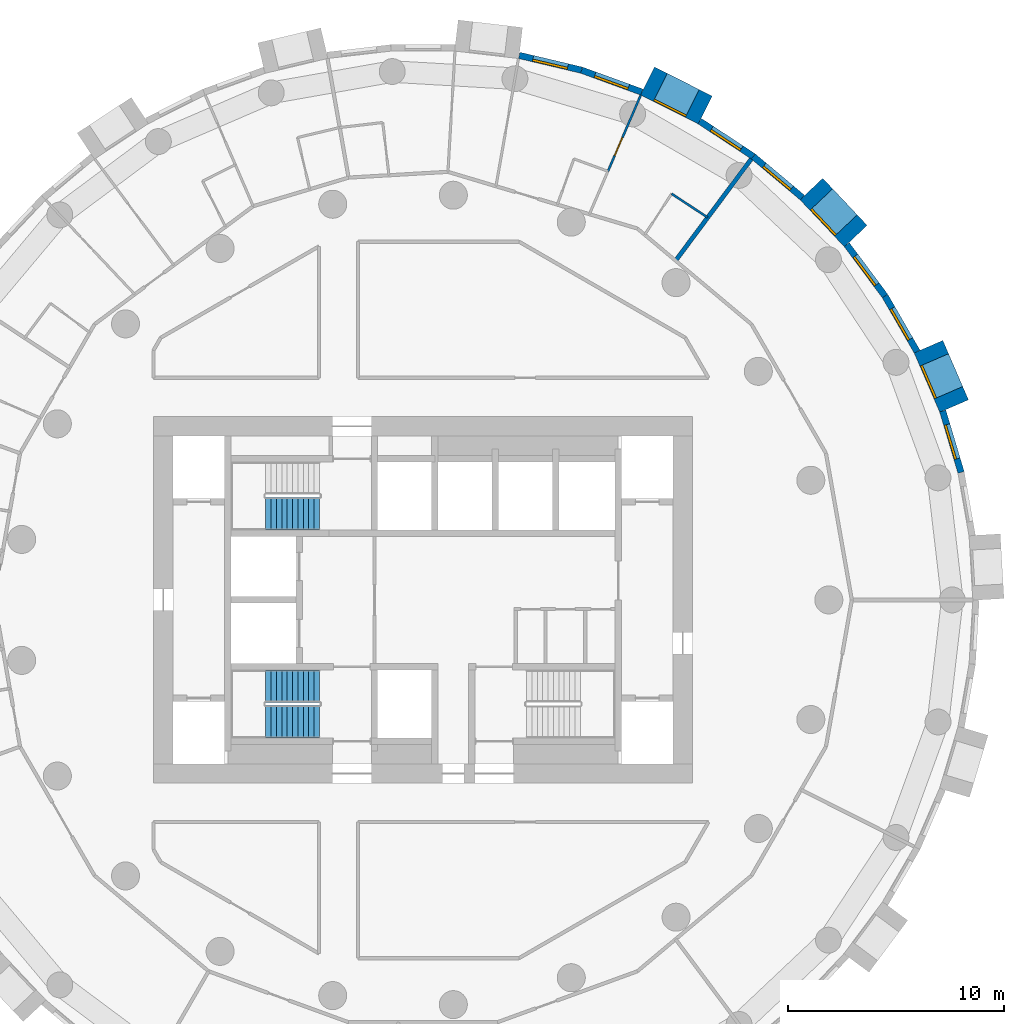
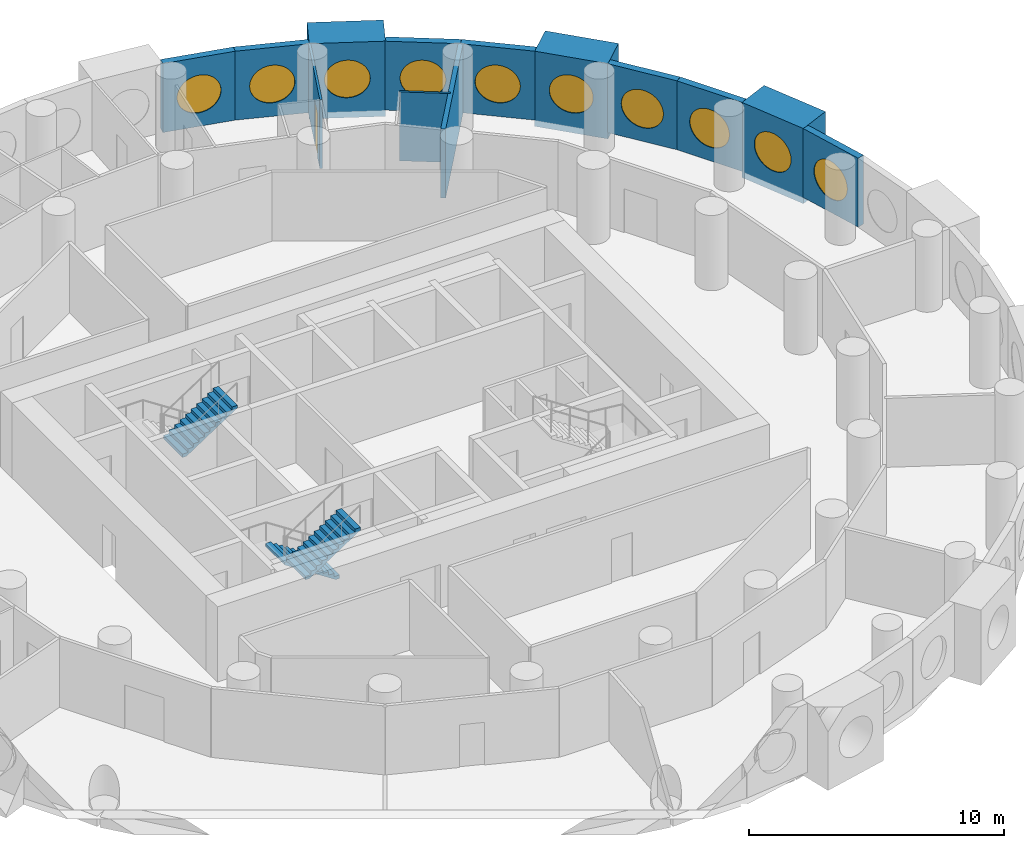
# One storey, part 8 of 10: 13 walls, 10 windows, 3 stair flights, 1 door, 11 openings, 2 elements without a shape of their own.
"""IFC4 building model written with IfcOpenShell, lengths in metres."""

from ifc_helpers import new_model, si_unit, direction, frame, frame_2d, origin, origin_2d, place, context, subcontext, project, spatial, polyline, rectangle, circle, outline, extrude, material, layer, layer_set, type_object, element, fill, aggregate, save


model = new_model("IFC4")

# Units and contexts
model_context = context("Model", 3, precision=1e-05, world=origin(), true_north=direction((0.0, 1.0)))
body_context = subcontext(model_context, "Body", "Model", "MODEL_VIEW")
ifc_project = project(units=[si_unit("LENGTHUNIT", "METRE"), si_unit("AREAUNIT", "SQUARE_METRE"), si_unit("VOLUMEUNIT", "CUBIC_METRE"), si_unit("PLANEANGLEUNIT", "RADIAN"), si_unit("MASSUNIT", "GRAM", prefix="KILO")], contexts=[model_context])

# Site, building, storey
site_placement = place(None, origin())
site = spatial("IfcSite", under=ifc_project, at=site_placement, CompositionType="ELEMENT")
building_placement = place(site_placement, origin())
building = spatial("IfcBuilding", under=site, at=building_placement, Name="Tracery Tower", CompositionType="ELEMENT")
storey_placement = place(building_placement, frame((0.0, 0.0, 144.0)))
storey = spatial("IfcBuildingStorey", under=building, at=storey_placement, Name="L36", CompositionType="ELEMENT", Elevation=144.0)

# Wall, opening, window
ifc_material_1 = material(Name="Precast concrete C50/60", Category="concrete")
ifc_layer_1 = layer(ifc_material_1, 1.449951171875)
ifc_layer_set_1 = layer_set([ifc_layer_1], Name="Deep-set bay unit 3000 x 3600, slab edge 300")
wall_type_1 = type_object("IfcWallType", Name="Deep-set bay unit 3000 x 3600, slab edge 300", PredefinedType="ELEMENTEDWALL", material=ifc_layer_set_1)
wall_1_placement = place(storey_placement, frame((24.632080078125, 8.99169921875, -0.300048828125), z_axis=(0.0, 0.0, 1.0), x_axis=(-0.396079003245, 0.918216435917, 0.0)))
wall_1 = element("IfcWall", 1, at=wall_1_placement, inside=storey, type_object=wall_type_1, Name="Deep-set bay unit 4 at L36", PredefinedType="ELEMENTEDWALL", context=body_context, shape_type="SweptSolid", body=[
    extrude(rectangle(XDim=3.0, YDim=1.449951171875, at=frame_2d((1.5, 0.0))), origin(), (0.0, 0.0, 1.0), 3.60009765625),
])
opening_1_placement = place(wall_1_placement, frame((1.5, 0.0, 1.85009765625)))
opening_1 = element("IfcOpeningElement", 2, at=opening_1_placement, cuts=wall_1, Name="Opening WN1", PredefinedType="OPENING", context=body_context, shape_type="SweptSolid", body=[
    extrude(circle(Radius=0.9000244140625, at=origin_2d()), frame((0.0, 0.73486328125, 0.0), z_axis=(0.0, -1.0, 0.0), x_axis=(1.0, 0.0, 0.0)), (0.0, 0.0, 1.0), 1.469970703125),
])
ifc_material_2 = material(Name="Aluminium frame with tinted double glazing", Category="aluminium")
window_type = type_object("IfcWindowType", Name="Round window 1800", PartitioningType="SINGLE_PANEL", PredefinedType="WINDOW", material=ifc_material_2)
window_1_placement = place(opening_1_placement, origin())
window_1 = element("IfcWindow", 3, at=window_1_placement, inside=storey, type_object=window_type, Name="Round window 4 at L36", OverallHeight=1.800048828125, OverallWidth=1.800048828125, PartitioningType="SINGLE_PANEL", PredefinedType="WINDOW", context=body_context, shape_type="SweptSolid", body=[
    extrude(circle(Radius=0.9000244140625, at=origin_2d()), frame((0.0, 0.69482421875, 0.0), z_axis=(0.0, -1.0, 0.0), x_axis=(1.0, 0.0, 0.0)), (0.0, 0.0, 1.0), 0.10009765625),
])
fill(opening_1, window_1)

wall_2_placement = place(storey_placement, frame((20.0712890625, 16.8740234375, -0.300048828125), z_axis=(0.0, 0.0, 1.0), x_axis=(-0.686217177108, 0.727396718334, 0.0)))
wall_2 = element("IfcWall", 4, at=wall_2_placement, inside=storey, type_object=wall_type_1, Name="Deep-set bay unit 7 at L36", PredefinedType="ELEMENTEDWALL", context=body_context, shape_type="SweptSolid", body=[
    extrude(rectangle(XDim=3.0, YDim=1.449951171875, at=frame_2d((1.5, 0.0))), origin(), (0.0, 0.0, 1.0), 3.60009765625),
])
opening_2_placement = place(wall_2_placement, frame((1.5, 0.0, 1.85009765625)))
opening_2 = element("IfcOpeningElement", 5, at=opening_2_placement, cuts=wall_2, Name="Opening WN1", PredefinedType="OPENING", context=body_context, shape_type="SweptSolid", body=[
    extrude(circle(Radius=0.9000244140625, at=origin_2d()), frame((0.0, 0.73486328125, 0.0), z_axis=(0.0, -1.0, 0.0), x_axis=(1.0, 0.0, 0.0)), (0.0, 0.0, 1.0), 1.469970703125),
])
window_2_placement = place(opening_2_placement, origin())
window_2 = element("IfcWindow", 6, at=window_2_placement, inside=storey, type_object=window_type, Name="Round window 7 at L36", OverallHeight=1.800048828125, OverallWidth=1.800048828125, PartitioningType="SINGLE_PANEL", PredefinedType="WINDOW", context=body_context, shape_type="SweptSolid", body=[
    extrude(circle(Radius=0.9000244140625, at=origin_2d()), frame((0.0, 0.69482421875, 0.0), z_axis=(0.0, -1.0, 0.0), x_axis=(1.0, 0.0, 0.0)), (0.0, 0.0, 1.0), 0.10009765625),
])
fill(opening_2, window_2)

wall_3_placement = place(storey_placement, frame((13.089599609375, 22.72119140625, -0.300048828125), z_axis=(0.0, 0.0, 1.0), x_axis=(-0.893628249713, 0.448807922518, 0.0)))
wall_3 = element("IfcWall", 7, at=wall_3_placement, inside=storey, type_object=wall_type_1, Name="Deep-set bay unit 10 at L36", PredefinedType="ELEMENTEDWALL", context=body_context, shape_type="SweptSolid", body=[
    extrude(rectangle(XDim=3.0, YDim=1.449951171875, at=frame_2d((1.5, 0.0))), origin(), (0.0, 0.0, 1.0), 3.60009765625),
])
opening_3_placement = place(wall_3_placement, frame((1.5, 0.0, 1.85009765625)))
opening_3 = element("IfcOpeningElement", 8, at=opening_3_placement, cuts=wall_3, Name="Opening WN1", PredefinedType="OPENING", context=body_context, shape_type="SweptSolid", body=[
    extrude(circle(Radius=0.9000244140625, at=origin_2d()), frame((0.0, 0.73486328125, 0.0), z_axis=(0.0, -1.0, 0.0), x_axis=(1.0, 0.0, 0.0)), (0.0, 0.0, 1.0), 1.469970703125),
])
window_3_placement = place(opening_3_placement, origin())
window_3 = element("IfcWindow", 9, at=window_3_placement, inside=storey, type_object=window_type, Name="Round window 10 at L36", OverallHeight=1.800048828125, OverallWidth=1.800048828125, PartitioningType="SINGLE_PANEL", PredefinedType="WINDOW", context=body_context, shape_type="SweptSolid", body=[
    extrude(circle(Radius=0.9000244140625, at=origin_2d()), frame((0.0, 0.69482421875, 0.0), z_axis=(0.0, -1.0, 0.0), x_axis=(1.0, 0.0, 0.0)), (0.0, 0.0, 1.0), 0.10009765625),
])
fill(opening_3, window_3)

ifc_material_3 = material(Name="Precast concrete C50/60", Category="concrete")
ifc_layer_2 = layer(ifc_material_3, 0.300048828125)
ifc_layer_set_2 = layer_set([ifc_layer_2], Name="Facade panel 3000 x 3300")
wall_type_2 = type_object("IfcWallType", Name="Facade panel 3000 x 3300", PredefinedType="SOLIDWALL", material=ifc_layer_set_2)
wall_4_placement = place(storey_placement, frame((24.9560546875, 5.914794921875, 0.0), z_axis=(0.0, 0.0, 1.0), x_axis=(-0.286782750849, 0.957995643944, 0.0)))
wall_4 = element("IfcWall", 10, at=wall_4_placement, inside=storey, type_object=wall_type_2, Name="Facade panel 3 at L36", PredefinedType="SOLIDWALL", context=body_context, shape_type="SweptSolid", body=[
    extrude(rectangle(XDim=2.97265625, YDim=0.300048828125, at=frame_2d((1.486328125, 0.0))), origin(), (0.0, 0.0, 1.0), 3.300048828125),
])
opening_4_placement = place(wall_4_placement, frame((1.486328125, 0.0, 1.5498046875)))
opening_4 = element("IfcOpeningElement", 11, at=opening_4_placement, cuts=wall_4, Name="Opening WN1", PredefinedType="OPENING", context=body_context, shape_type="SweptSolid", body=[
    extrude(circle(Radius=0.9000244140625, at=origin_2d()), frame((0.0, 0.159912109375, 0.0), z_axis=(0.0, -1.0, 0.0), x_axis=(1.0, 0.0, 0.0)), (0.0, 0.0, 1.0), 0.320068359375),
])
window_4_placement = place(opening_4_placement, origin())
window_4 = element("IfcWindow", 12, at=window_4_placement, inside=storey, type_object=window_type, Name="Round window 3 at L36", OverallHeight=1.800048828125, OverallWidth=1.800048828125, PartitioningType="SINGLE_PANEL", PredefinedType="WINDOW", context=body_context, shape_type="SweptSolid", body=[
    extrude(circle(Radius=0.9000244140625, at=origin_2d()), frame((0.0, 0.1201171875, 0.0), z_axis=(0.0, -1.0, 0.0), x_axis=(1.0, 0.0, 0.0)), (0.0, 0.0, 1.0), 0.10009765625),
])
fill(opening_4, window_4)

wall_5_placement = place(storey_placement, frame((22.91455078125, 11.518798828125, 0.0), z_axis=(0.0, 0.0, 1.0), x_axis=(-0.499954672104, 0.866051572276, 0.0)))
wall_5 = element("IfcWall", 13, at=wall_5_placement, inside=storey, type_object=wall_type_2, Name="Facade panel 5 at L36", PredefinedType="SOLIDWALL", context=body_context, shape_type="SweptSolid", body=[
    extrude(rectangle(XDim=2.972900390625, YDim=0.300048828125, at=frame_2d((1.486328125, 0.0))), origin(), (0.0, 0.0, 1.0), 3.300048828125),
])
opening_5_placement = place(wall_5_placement, frame((1.486328125, 0.0, 1.5498046875)))
opening_5 = element("IfcOpeningElement", 14, at=opening_5_placement, cuts=wall_5, Name="Opening WN1", PredefinedType="OPENING", context=body_context, shape_type="SweptSolid", body=[
    extrude(circle(Radius=0.9000244140625, at=origin_2d()), frame((0.0, 0.159912109375, 0.0), z_axis=(0.0, -1.0, 0.0), x_axis=(1.0, 0.0, 0.0)), (0.0, 0.0, 1.0), 0.320068359375),
])
window_5_placement = place(opening_5_placement, origin())
window_5 = element("IfcWindow", 15, at=window_5_placement, inside=storey, type_object=window_type, Name="Round window 5 at L36", OverallHeight=1.800048828125, OverallWidth=1.800048828125, PartitioningType="SINGLE_PANEL", PredefinedType="WINDOW", context=body_context, shape_type="SweptSolid", body=[
    extrude(circle(Radius=0.9000244140625, at=origin_2d()), frame((0.0, 0.1201171875, 0.0), z_axis=(0.0, -1.0, 0.0), x_axis=(1.0, 0.0, 0.0)), (0.0, 0.0, 1.0), 0.10009765625),
])
fill(opening_5, window_5)

wall_6_placement = place(storey_placement, frame((21.42822265625, 14.093505859375, 0.0), z_axis=(0.0, 0.0, 1.0), x_axis=(-0.597197580538, 0.80209416517, 0.0)))
wall_6 = element("IfcWall", 16, at=wall_6_placement, inside=storey, type_object=wall_type_2, Name="Facade panel 6 at L36", PredefinedType="SOLIDWALL", context=body_context, shape_type="SweptSolid", body=[
    extrude(rectangle(XDim=2.972900390625, YDim=0.300048828125, at=frame_2d((1.486328125, 0.0))), origin(), (0.0, 0.0, 1.0), 3.300048828125),
])
opening_6_placement = place(wall_6_placement, frame((1.486328125, 0.0, 1.5498046875)))
opening_6 = element("IfcOpeningElement", 17, at=opening_6_placement, cuts=wall_6, Name="Opening WN1", PredefinedType="OPENING", context=body_context, shape_type="SweptSolid", body=[
    extrude(circle(Radius=0.9000244140625, at=origin_2d()), frame((0.0, 0.159912109375, 0.0), z_axis=(0.0, -1.0, 0.0), x_axis=(1.0, 0.0, 0.0)), (0.0, 0.0, 1.0), 0.320068359375),
])
window_6_placement = place(opening_6_placement, origin())
window_6 = element("IfcWindow", 18, at=window_6_placement, inside=storey, type_object=window_type, Name="Round window 6 at L36", OverallHeight=1.800048828125, OverallWidth=1.800048828125, PartitioningType="SINGLE_PANEL", PredefinedType="WINDOW", context=body_context, shape_type="SweptSolid", body=[
    extrude(circle(Radius=0.9000244140625, at=origin_2d()), frame((0.0, 0.1201171875, 0.0), z_axis=(0.0, -1.0, 0.0), x_axis=(1.0, 0.0, 0.0)), (0.0, 0.0, 1.0), 0.10009765625),
])
fill(opening_6, window_6)

wall_7_placement = place(storey_placement, frame((17.593017578125, 18.661376953125, 0.0), z_axis=(0.0, 0.0, 1.0), x_axis=(-0.766008913364, 0.642829950023, 0.0)))
wall_7 = element("IfcWall", 19, at=wall_7_placement, inside=storey, type_object=wall_type_2, Name="Facade panel 8 at L36", PredefinedType="SOLIDWALL", context=body_context, shape_type="SweptSolid", body=[
    extrude(rectangle(XDim=2.972900390625, YDim=0.300048828125, at=frame_2d((1.486328125, 0.0))), origin(), (0.0, 0.0, 1.0), 3.300048828125),
])
opening_7_placement = place(wall_7_placement, frame((1.486328125, 0.0, 1.5498046875)))
opening_7 = element("IfcOpeningElement", 20, at=opening_7_placement, cuts=wall_7, Name="Opening WN1", PredefinedType="OPENING", context=body_context, shape_type="SweptSolid", body=[
    extrude(circle(Radius=0.9000244140625, at=origin_2d()), frame((0.0, 0.159912109375, 0.0), z_axis=(0.0, -1.0, 0.0), x_axis=(1.0, 0.0, 0.0)), (0.0, 0.0, 1.0), 0.320068359375),
])
window_7_placement = place(opening_7_placement, origin())
window_7 = element("IfcWindow", 21, at=window_7_placement, inside=storey, type_object=window_type, Name="Round window 8 at L36", OverallHeight=1.800048828125, OverallWidth=1.800048828125, PartitioningType="SINGLE_PANEL", PredefinedType="WINDOW", context=body_context, shape_type="SweptSolid", body=[
    extrude(circle(Radius=0.9000244140625, at=origin_2d()), frame((0.0, 0.1201171875, 0.0), z_axis=(0.0, -1.0, 0.0), x_axis=(1.0, 0.0, 0.0)), (0.0, 0.0, 1.0), 0.10009765625),
])
fill(opening_7, window_7)

wall_8_placement = place(storey_placement, frame((15.315673828125, 20.572509765625, 0.0), z_axis=(0.0, 0.0, 1.0), x_axis=(-0.835508361394, 0.54947773207, 0.0)))
wall_8 = element("IfcWall", 22, at=wall_8_placement, inside=storey, type_object=wall_type_2, Name="Facade panel 9 at L36", PredefinedType="SOLIDWALL", context=body_context, shape_type="SweptSolid", body=[
    extrude(rectangle(XDim=2.972900390625, YDim=0.300048828125, at=frame_2d((1.486328125, 0.0))), origin(), (0.0, 0.0, 1.0), 3.300048828125),
])
opening_8_placement = place(wall_8_placement, frame((1.486328125, 0.0, 1.5498046875)))
opening_8 = element("IfcOpeningElement", 23, at=opening_8_placement, cuts=wall_8, Name="Opening WN1", PredefinedType="OPENING", context=body_context, shape_type="SweptSolid", body=[
    extrude(circle(Radius=0.9000244140625, at=origin_2d()), frame((0.0, 0.159912109375, 0.0), z_axis=(0.0, -1.0, 0.0), x_axis=(1.0, 0.0, 0.0)), (0.0, 0.0, 1.0), 0.320068359375),
])
window_8_placement = place(opening_8_placement, origin())
window_8 = element("IfcWindow", 24, at=window_8_placement, inside=storey, type_object=window_type, Name="Round window 9 at L36", OverallHeight=1.800048828125, OverallWidth=1.800048828125, PartitioningType="SINGLE_PANEL", PredefinedType="WINDOW", context=body_context, shape_type="SweptSolid", body=[
    extrude(circle(Radius=0.9000244140625, at=origin_2d()), frame((0.0, 0.1201171875, 0.0), z_axis=(0.0, -1.0, 0.0), x_axis=(1.0, 0.0, 0.0)), (0.0, 0.0, 1.0), 0.10009765625),
])
fill(opening_8, window_8)

wall_9_placement = place(storey_placement, frame((10.1494140625, 23.55322265625, 0.0), z_axis=(0.0, 0.0, 1.0), x_axis=(-0.939690282133, 0.342026568652, 0.0)))
wall_9 = element("IfcWall", 25, at=wall_9_placement, inside=storey, type_object=wall_type_2, Name="Facade panel 11 at L36", PredefinedType="SOLIDWALL", context=body_context, shape_type="SweptSolid", body=[
    extrude(rectangle(XDim=2.972900390625, YDim=0.300048828125, at=frame_2d((1.486328125, 0.0))), origin(), (0.0, 0.0, 1.0), 3.300048828125),
])
opening_9_placement = place(wall_9_placement, frame((1.486328125, 0.0, 1.5498046875)))
opening_9 = element("IfcOpeningElement", 26, at=opening_9_placement, cuts=wall_9, Name="Opening WN1", PredefinedType="OPENING", context=body_context, shape_type="SweptSolid", body=[
    extrude(circle(Radius=0.9000244140625, at=origin_2d()), frame((0.0, 0.159912109375, 0.0), z_axis=(0.0, -1.0, 0.0), x_axis=(1.0, 0.0, 0.0)), (0.0, 0.0, 1.0), 0.320068359375),
])
window_9_placement = place(opening_9_placement, origin())
window_9 = element("IfcWindow", 27, at=window_9_placement, inside=storey, type_object=window_type, Name="Round window 11 at L36", OverallHeight=1.800048828125, OverallWidth=1.800048828125, PartitioningType="SINGLE_PANEL", PredefinedType="WINDOW", context=body_context, shape_type="SweptSolid", body=[
    extrude(circle(Radius=0.9000244140625, at=origin_2d()), frame((0.0, 0.1201171875, 0.0), z_axis=(0.0, -1.0, 0.0), x_axis=(1.0, 0.0, 0.0)), (0.0, 0.0, 1.0), 0.10009765625),
])
fill(opening_9, window_9)

wall_10_placement = place(storey_placement, frame((7.355712890625, 24.570068359375, 0.0), z_axis=(0.0, 0.0, 1.0), x_axis=(-0.973045378923, 0.230613725862, 0.0)))
wall_10 = element("IfcWall", 28, at=wall_10_placement, inside=storey, type_object=wall_type_2, Name="Facade panel 12 at L36", PredefinedType="SOLIDWALL", context=body_context, shape_type="SweptSolid", body=[
    extrude(rectangle(XDim=2.97265625, YDim=0.300048828125, at=frame_2d((1.486328125, 0.0))), origin(), (0.0, 0.0, 1.0), 3.300048828125),
])
opening_10_placement = place(wall_10_placement, frame((1.486328125, 0.0, 1.5498046875)))
opening_10 = element("IfcOpeningElement", 29, at=opening_10_placement, cuts=wall_10, Name="Opening WN1", PredefinedType="OPENING", context=body_context, shape_type="SweptSolid", body=[
    extrude(circle(Radius=0.9000244140625, at=origin_2d()), frame((0.0, 0.159912109375, 0.0), z_axis=(0.0, -1.0, 0.0), x_axis=(1.0, 0.0, 0.0)), (0.0, 0.0, 1.0), 0.320068359375),
])
window_10_placement = place(opening_10_placement, origin())
window_10 = element("IfcWindow", 30, at=window_10_placement, inside=storey, type_object=window_type, Name="Round window 12 at L36", OverallHeight=1.800048828125, OverallWidth=1.800048828125, PartitioningType="SINGLE_PANEL", PredefinedType="WINDOW", context=body_context, shape_type="SweptSolid", body=[
    extrude(circle(Radius=0.9000244140625, at=origin_2d()), frame((0.0, 0.1201171875, 0.0), z_axis=(0.0, -1.0, 0.0), x_axis=(1.0, 0.0, 0.0)), (0.0, 0.0, 1.0), 0.10009765625),
])
fill(opening_10, window_10)

# Wall, opening, door
ifc_material_4 = material(Name="Plasterboard on steel studs", Category="steel")
ifc_layer_3 = layer(ifc_material_4, 0.10009765625)
ifc_layer_set_3 = layer_set([ifc_layer_3], Name="Partition 100 stud")
wall_type_3 = type_object("IfcWallType", Name="Partition 100 stud", PredefinedType="PARTITIONING", material=ifc_layer_set_3)
wall_11_placement = place(storey_placement, frame((8.575927734375, 19.881103515625, 0.0), z_axis=(0.0, 0.0, 1.0), x_axis=(0.396094260049, 0.918209854639, 0.0)))
wall_11 = element("IfcWall", 31, at=wall_11_placement, inside=storey, type_object=wall_type_3, Name="Stud partition RB2-045", PredefinedType="PARTITIONING", context=body_context, shape_type="SweptSolid", body=[
    extrude(rectangle(XDim=3.845458984375, YDim=0.10009765625, at=frame_2d((1.9228515625, 0.0))), origin(), (0.0, 0.0, 1.0), 3.300048828125),
])
opening_11_placement = place(wall_11_placement, frame((0.79541015625, 0.0, 0.0)))
opening_11 = element("IfcOpeningElement", 32, at=opening_11_placement, cuts=wall_11, Name="Opening RB2-09", PredefinedType="OPENING", context=body_context, shape_type="SweptSolid", body=[
    extrude(rectangle(XDim=0.89990234375, YDim=2.10009765625, at=frame_2d((0.449951171875, 1.050048828125))), frame((0.0, 0.050048828125, 0.0), z_axis=(0.0, -1.0, 0.0), x_axis=(1.0, 0.0, 0.0)), (0.0, 0.0, 1.0), 0.10009765625),
])
ifc_material_5 = material(Name="Timber door leaf", Category="wood")
door_type = type_object("IfcDoorType", Name="Door bedroom 900", OperationType="NOTDEFINED", PredefinedType="DOOR", material=ifc_material_5)
door_placement = place(opening_11_placement, origin())
door = element("IfcDoor", 33, at=door_placement, inside=storey, type_object=door_type, Name="Bedroom door RB2-09", OperationType="SINGLE_SWING_RIGHT", OverallHeight=2.10009765625, OverallWidth=0.89990234375, PredefinedType="DOOR", context=body_context, shape_type="SweptSolid", body=[
    extrude(rectangle(XDim=0.89990234375, YDim=2.10009765625, at=frame_2d((0.449951171875, 1.050048828125))), frame((0.0, 0.02490234375, 0.0), z_axis=(0.0, -1.0, 0.0), x_axis=(1.0, 0.0, 0.0)), (0.0, 0.0, 1.0), 0.050048828125),
])
fill(opening_11, door)

# Walls
ifc_material_6 = material(Name="Plasterboard on steel studs", Category="steel")
ifc_layer_4 = layer(ifc_material_6, 0.10009765625)
ifc_layer_set_4 = layer_set([ifc_layer_4], Name="Partition 100 wet wall")
wall_type_4 = type_object("IfcWallType", Name="Partition 100 wet wall", PredefinedType="PARTITIONING", material=ifc_layer_set_4)
wall_12_placement = place(storey_placement, frame((11.531005859375, 18.8369140625, 0.0), z_axis=(0.0, 0.0, 1.0), x_axis=(0.835392041163, -0.549654562032, 0.0)))
element("IfcWall", 34, at=wall_12_placement, inside=storey, type_object=wall_type_4, Name="Wet wall RB2-048", PredefinedType="PARTITIONING", context=body_context, shape_type="SweptSolid", body=[
    extrude(rectangle(XDim=2.002685546875, YDim=0.10009765625, at=frame_2d((1.00146484375, 0.0))), origin(), (0.0, 0.0, 1.0), 3.300048828125),
])
ifc_material_7 = material(Name="Plasterboard on steel studs", Category="steel")
ifc_layer_5 = layer(ifc_material_7, 0.199951171875)
ifc_layer_set_5 = layer_set([ifc_layer_5], Name="Partition 200 compartment wall")
wall_type_5 = type_object("IfcWallType", Name="Partition 200 compartment wall", PredefinedType="PARTITIONING", material=ifc_layer_set_5)
wall_13_placement = place(storey_placement, frame((11.716064453125, 15.73681640625, 0.0), z_axis=(0.0, 0.0, 1.0), x_axis=(0.597131981171, 0.802143002876, 0.0)))
element("IfcWall", 35, at=wall_13_placement, inside=storey, type_object=wall_type_5, Name="Compartment wall RB2-040", PredefinedType="PARTITIONING", context=body_context, shape_type="SweptSolid", body=[
    extrude(rectangle(XDim=5.878173828125, YDim=0.199951171875, at=frame_2d((2.93896484375, 0.0))), origin(), (0.0, 0.0, 1.0), 3.300048828125),
])

# Stair, stair flights
ifc_material_8 = material(Name="Concrete C32/40", Category="concrete")
stair_type = type_object("IfcStairType", Name="Core stair 22 risers", PredefinedType="HALF_TURN_STAIR", material=ifc_material_8)
stair_1_placement = place(storey_placement, origin())
stair_1 = element("IfcStair", 36, at=stair_1_placement, inside=storey, type_object=stair_type, Name="L36 stair ST1", PredefinedType="HALF_TURN_STAIR")
ifc_material_9 = material(Name="Concrete C32/40", Category="concrete")
stair_flight_type = type_object("IfcStairFlightType", Name="Core stair flight 11 risers", PredefinedType="STRAIGHT", material=ifc_material_9)
stair_flight_1_placement = place(storey_placement, frame((-4.800048828125, -4.0, 0.0), z_axis=(0.0, 0.0, 1.0), x_axis=(-1.0, 0.0, 0.0)))
stair_flight_1 = element("IfcStairFlight", 37, at=stair_flight_1_placement, type_object=stair_flight_type, Name="ST1 flight 1", NumberOfRisers=11, NumberOfTreads=10, PredefinedType="STRAIGHT", RiserHeight=0.163636364, TreadLength=0.25, context=body_context, shape_type="SweptSolid", body=[
    extrude(outline(polyline([(0.0, 0.0), (0.0, 0.002685546875), (0.0, 0.00537109375), (0.0, 0.008056640625), (0.0, 0.0107421875), (0.0, 0.013427734375), (0.0, 0.01611328125), (0.0, 0.018798828125), (0.0, 0.021484375), (0.0, 0.024169921875), (0.0, 0.02685546875), (0.0, 0.029541015625), (0.0, 0.0322265625), (0.0, 0.034912109375), (0.0, 0.03759765625), (0.0, 0.040283203125), (0.0, 0.04296875), (0.0, 0.045654296875), (0.0, 0.04833984375), (0.0, 0.051025390625), (0.0, 0.0537109375), (0.0, 0.056396484375), (0.0, 0.05908203125), (0.0, 0.061767578125), (0.0, 0.064453125), (0.0, 0.067138671875), (0.0, 0.06982421875), (0.0, 0.072509765625), (0.0, 0.0751953125), (0.0, 0.077880859375), (0.0, 0.08056640625), (0.0, 0.083251953125), (0.0, 0.0859375), (0.0, 0.088623046875), (0.0, 0.09130859375), (0.0, 0.093994140625), (0.0, 0.0966796875), (0.0, 0.099365234375), (0.0, 0.10205078125), (0.0, 0.104736328125), (0.0, 0.107421875), (0.0, 0.10986328125), (0.0, 0.112548828125), (0.0, 0.115234375), (0.0, 0.117919921875), (0.0, 0.12060546875), (0.0, 0.123291015625), (0.0, 0.1259765625), (0.0, 0.128662109375), (0.0, 0.13134765625), (0.0, 0.134033203125), (0.0, 0.13671875), (0.0, 0.139404296875), (0.0, 0.14208984375), (0.0, 0.144775390625), (0.0, 0.1474609375), (0.0, 0.150146484375), (0.0, 0.15283203125), (0.0, 0.155517578125), (0.0, 0.158203125), (0.0, 0.160888671875), (0.0, 0.16357421875), (0.25, 0.16357421875), (0.25, 0.327392578125), (0.5, 0.327392578125), (0.5, 0.490966796875), (0.75, 0.490966796875), (0.75, 0.654541015625), (1.0, 0.654541015625), (1.0, 0.818115234375), (1.25, 0.818115234375), (1.25, 0.98193359375), (1.5, 0.98193359375), (1.5, 1.1455078125), (1.75, 1.1455078125), (1.75, 1.30908203125), (2.0, 1.30908203125), (2.0, 1.47265625), (2.25, 1.47265625), (2.25, 1.636474609375), (2.5, 1.636474609375), (2.5, 1.634521484375), (2.5, 1.63232421875), (2.5, 1.63037109375), (2.5, 1.62841796875), (2.5, 1.62646484375), (2.5, 1.62451171875), (2.5, 1.62255859375), (2.5, 1.62060546875), (2.5, 1.61865234375), (2.5, 1.61669921875), (2.5, 1.61474609375), (2.5, 1.61279296875), (2.5, 1.61083984375), (2.5, 1.60888671875), (2.5, 1.60693359375), (2.5, 1.60498046875), (2.5, 1.60302734375), (2.5, 1.60107421875), (2.5, 1.59912109375), (2.5, 1.59716796875), (2.5, 1.59521484375), (2.5, 1.59326171875), (2.5, 1.59130859375), (2.5, 1.58935546875), (2.5, 1.58740234375), (2.5, 1.58544921875), (2.5, 1.58349609375), (2.5, 1.58154296875), (2.5, 1.57958984375), (2.5, 1.57763671875), (2.5, 1.57568359375), (2.5, 1.573486328125), (2.5, 1.571533203125), (2.5, 1.569580078125), (2.5, 1.567626953125), (2.5, 1.565673828125), (2.5, 1.563720703125), (2.5, 1.561767578125), (2.5, 1.559814453125), (2.5, 1.557861328125), (2.5, 1.555908203125), (2.5, 1.553955078125), (2.5, 1.552001953125), (2.5, 1.550048828125), (2.5, 1.548095703125), (2.5, 1.546142578125), (2.5, 1.544189453125), (2.5, 1.542236328125), (2.5, 1.540283203125), (2.5, 1.538330078125), (2.5, 1.536376953125), (2.5, 1.534423828125), (2.5, 1.532470703125), (2.5, 1.530517578125), (2.5, 1.528564453125), (2.5, 1.526611328125), (2.5, 1.524658203125), (2.5, 1.522705078125), (2.5, 1.520751953125), (2.5, 1.518798828125), (2.5, 1.516845703125), (0.182861328125, 0.0), (0.0, 0.0)])), frame((0.0, 0.75, 0.0), z_axis=(0.0, -1.0, 0.0), x_axis=(1.0, 0.0, 0.0)), (0.0, 0.0, 1.0), 1.5),
])
stair_flight_2_placement = place(storey_placement, frame((-7.300048828125, -5.64990234375, 1.800048828125), z_axis=(0.0, 0.0, 1.0), x_axis=(1.0, 0.0, 0.0)))
stair_flight_2 = element("IfcStairFlight", 38, at=stair_flight_2_placement, type_object=stair_flight_type, Name="ST1 flight 2", NumberOfRisers=11, NumberOfTreads=10, PredefinedType="STRAIGHT", RiserHeight=0.163636364, TreadLength=0.25, context=body_context, shape_type="SweptSolid", body=[
    extrude(outline(polyline([(0.0, 0.0), (0.0, 0.002685546875), (0.0, 0.00537109375), (0.0, 0.008056640625), (0.0, 0.0107421875), (0.0, 0.013427734375), (0.0, 0.01611328125), (0.0, 0.018798828125), (0.0, 0.021484375), (0.0, 0.024169921875), (0.0, 0.02685546875), (0.0, 0.029541015625), (0.0, 0.0322265625), (0.0, 0.034912109375), (0.0, 0.03759765625), (0.0, 0.040283203125), (0.0, 0.04296875), (0.0, 0.045654296875), (0.0, 0.04833984375), (0.0, 0.051025390625), (0.0, 0.0537109375), (0.0, 0.056396484375), (0.0, 0.05908203125), (0.0, 0.061767578125), (0.0, 0.064453125), (0.0, 0.067138671875), (0.0, 0.06982421875), (0.0, 0.072509765625), (0.0, 0.0751953125), (0.0, 0.077880859375), (0.0, 0.08056640625), (0.0, 0.083251953125), (0.0, 0.0859375), (0.0, 0.088623046875), (0.0, 0.09130859375), (0.0, 0.093994140625), (0.0, 0.0966796875), (0.0, 0.099365234375), (0.0, 0.10205078125), (0.0, 0.104736328125), (0.0, 0.107421875), (0.0, 0.10986328125), (0.0, 0.112548828125), (0.0, 0.115234375), (0.0, 0.117919921875), (0.0, 0.12060546875), (0.0, 0.123291015625), (0.0, 0.1259765625), (0.0, 0.128662109375), (0.0, 0.13134765625), (0.0, 0.134033203125), (0.0, 0.13671875), (0.0, 0.139404296875), (0.0, 0.14208984375), (0.0, 0.144775390625), (0.0, 0.1474609375), (0.0, 0.150146484375), (0.0, 0.15283203125), (0.0, 0.155517578125), (0.0, 0.158203125), (0.0, 0.160888671875), (0.0, 0.16357421875), (0.25, 0.16357421875), (0.25, 0.327392578125), (0.5, 0.327392578125), (0.5, 0.490966796875), (0.75, 0.490966796875), (0.75, 0.654541015625), (1.0, 0.654541015625), (1.0, 0.818115234375), (1.25, 0.818115234375), (1.25, 0.98193359375), (1.5, 0.98193359375), (1.5, 1.1455078125), (1.75, 1.1455078125), (1.75, 1.30908203125), (2.0, 1.30908203125), (2.0, 1.47265625), (2.25, 1.47265625), (2.25, 1.636474609375), (2.5, 1.636474609375), (2.5, 1.634521484375), (2.5, 1.63232421875), (2.5, 1.63037109375), (2.5, 1.62841796875), (2.5, 1.62646484375), (2.5, 1.62451171875), (2.5, 1.62255859375), (2.5, 1.62060546875), (2.5, 1.61865234375), (2.5, 1.61669921875), (2.5, 1.61474609375), (2.5, 1.61279296875), (2.5, 1.61083984375), (2.5, 1.60888671875), (2.5, 1.60693359375), (2.5, 1.60498046875), (2.5, 1.60302734375), (2.5, 1.60107421875), (2.5, 1.59912109375), (2.5, 1.59716796875), (2.5, 1.59521484375), (2.5, 1.59326171875), (2.5, 1.59130859375), (2.5, 1.58935546875), (2.5, 1.58740234375), (2.5, 1.58544921875), (2.5, 1.58349609375), (2.5, 1.58154296875), (2.5, 1.57958984375), (2.5, 1.57763671875), (2.5, 1.57568359375), (2.5, 1.573486328125), (2.5, 1.571533203125), (2.5, 1.569580078125), (2.5, 1.567626953125), (2.5, 1.565673828125), (2.5, 1.563720703125), (2.5, 1.561767578125), (2.5, 1.559814453125), (2.5, 1.557861328125), (2.5, 1.555908203125), (2.5, 1.553955078125), (2.5, 1.552001953125), (2.5, 1.550048828125), (2.5, 1.548095703125), (2.5, 1.546142578125), (2.5, 1.544189453125), (2.5, 1.542236328125), (2.5, 1.540283203125), (2.5, 1.538330078125), (2.5, 1.536376953125), (2.5, 1.534423828125), (2.5, 1.532470703125), (2.5, 1.530517578125), (2.5, 1.528564453125), (2.5, 1.526611328125), (2.5, 1.524658203125), (2.5, 1.522705078125), (2.5, 1.520751953125), (2.5, 1.518798828125), (2.5, 1.516845703125), (0.182861328125, 0.0), (0.0, 0.0)])), frame((0.0, 0.75, 0.0), z_axis=(0.0, -1.0, 0.0), x_axis=(1.0, 0.0, 0.0)), (0.0, 0.0, 1.0), 1.5),
])
aggregate(stair_1, [stair_flight_1, stair_flight_2])

# Stair, stair flight
stair_2_placement = place(storey_placement, origin())
stair_2 = element("IfcStair", 39, at=stair_2_placement, inside=storey, type_object=stair_type, Name="L36 stair ST3", PredefinedType="HALF_TURN_STAIR")
stair_flight_3_placement = place(storey_placement, frame((-7.300048828125, 4.0, 1.800048828125), z_axis=(0.0, 0.0, 1.0), x_axis=(1.0, 0.0, 0.0)))
stair_flight_3 = element("IfcStairFlight", 40, at=stair_flight_3_placement, type_object=stair_flight_type, Name="ST3 flight 2", NumberOfRisers=11, NumberOfTreads=10, PredefinedType="STRAIGHT", RiserHeight=0.163636364, TreadLength=0.25, context=body_context, shape_type="SweptSolid", body=[
    extrude(outline(polyline([(0.0, 0.0), (0.0, 0.002685546875), (0.0, 0.00537109375), (0.0, 0.008056640625), (0.0, 0.0107421875), (0.0, 0.013427734375), (0.0, 0.01611328125), (0.0, 0.018798828125), (0.0, 0.021484375), (0.0, 0.024169921875), (0.0, 0.02685546875), (0.0, 0.029541015625), (0.0, 0.0322265625), (0.0, 0.034912109375), (0.0, 0.03759765625), (0.0, 0.040283203125), (0.0, 0.04296875), (0.0, 0.045654296875), (0.0, 0.04833984375), (0.0, 0.051025390625), (0.0, 0.0537109375), (0.0, 0.056396484375), (0.0, 0.05908203125), (0.0, 0.061767578125), (0.0, 0.064453125), (0.0, 0.067138671875), (0.0, 0.06982421875), (0.0, 0.072509765625), (0.0, 0.0751953125), (0.0, 0.077880859375), (0.0, 0.08056640625), (0.0, 0.083251953125), (0.0, 0.0859375), (0.0, 0.088623046875), (0.0, 0.09130859375), (0.0, 0.093994140625), (0.0, 0.0966796875), (0.0, 0.099365234375), (0.0, 0.10205078125), (0.0, 0.104736328125), (0.0, 0.107421875), (0.0, 0.10986328125), (0.0, 0.112548828125), (0.0, 0.115234375), (0.0, 0.117919921875), (0.0, 0.12060546875), (0.0, 0.123291015625), (0.0, 0.1259765625), (0.0, 0.128662109375), (0.0, 0.13134765625), (0.0, 0.134033203125), (0.0, 0.13671875), (0.0, 0.139404296875), (0.0, 0.14208984375), (0.0, 0.144775390625), (0.0, 0.1474609375), (0.0, 0.150146484375), (0.0, 0.15283203125), (0.0, 0.155517578125), (0.0, 0.158203125), (0.0, 0.160888671875), (0.0, 0.16357421875), (0.25, 0.16357421875), (0.25, 0.327392578125), (0.5, 0.327392578125), (0.5, 0.490966796875), (0.75, 0.490966796875), (0.75, 0.654541015625), (1.0, 0.654541015625), (1.0, 0.818115234375), (1.25, 0.818115234375), (1.25, 0.98193359375), (1.5, 0.98193359375), (1.5, 1.1455078125), (1.75, 1.1455078125), (1.75, 1.30908203125), (2.0, 1.30908203125), (2.0, 1.47265625), (2.25, 1.47265625), (2.25, 1.636474609375), (2.5, 1.636474609375), (2.5, 1.634521484375), (2.5, 1.63232421875), (2.5, 1.63037109375), (2.5, 1.62841796875), (2.5, 1.62646484375), (2.5, 1.62451171875), (2.5, 1.62255859375), (2.5, 1.62060546875), (2.5, 1.61865234375), (2.5, 1.61669921875), (2.5, 1.61474609375), (2.5, 1.61279296875), (2.5, 1.61083984375), (2.5, 1.60888671875), (2.5, 1.60693359375), (2.5, 1.60498046875), (2.5, 1.60302734375), (2.5, 1.60107421875), (2.5, 1.59912109375), (2.5, 1.59716796875), (2.5, 1.59521484375), (2.5, 1.59326171875), (2.5, 1.59130859375), (2.5, 1.58935546875), (2.5, 1.58740234375), (2.5, 1.58544921875), (2.5, 1.58349609375), (2.5, 1.58154296875), (2.5, 1.57958984375), (2.5, 1.57763671875), (2.5, 1.57568359375), (2.5, 1.573486328125), (2.5, 1.571533203125), (2.5, 1.569580078125), (2.5, 1.567626953125), (2.5, 1.565673828125), (2.5, 1.563720703125), (2.5, 1.561767578125), (2.5, 1.559814453125), (2.5, 1.557861328125), (2.5, 1.555908203125), (2.5, 1.553955078125), (2.5, 1.552001953125), (2.5, 1.550048828125), (2.5, 1.548095703125), (2.5, 1.546142578125), (2.5, 1.544189453125), (2.5, 1.542236328125), (2.5, 1.540283203125), (2.5, 1.538330078125), (2.5, 1.536376953125), (2.5, 1.534423828125), (2.5, 1.532470703125), (2.5, 1.530517578125), (2.5, 1.528564453125), (2.5, 1.526611328125), (2.5, 1.524658203125), (2.5, 1.522705078125), (2.5, 1.520751953125), (2.5, 1.518798828125), (2.5, 1.516845703125), (0.182861328125, 0.0), (0.0, 0.0)])), frame((0.0, 0.75, 0.0), z_axis=(0.0, -1.0, 0.0), x_axis=(1.0, 0.0, 0.0)), (0.0, 0.0, 1.0), 1.5),
])
aggregate(stair_2, [stair_flight_3])

save(model, "model.ifc")
